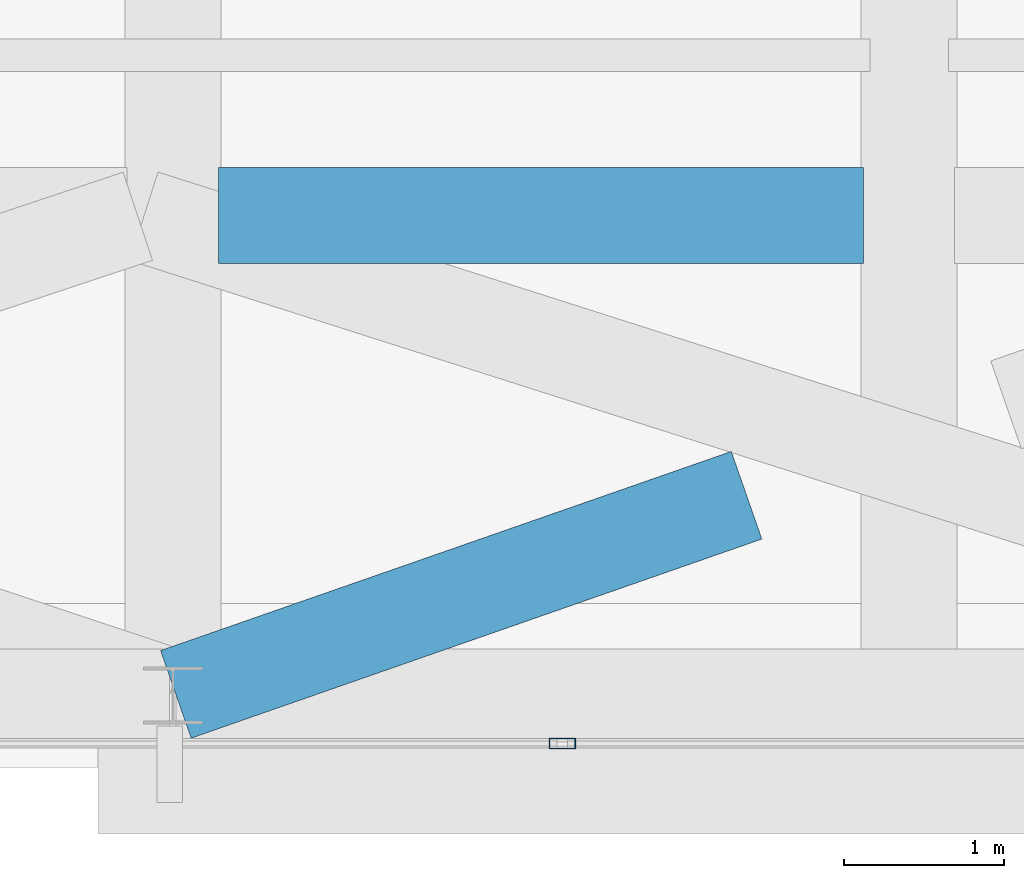
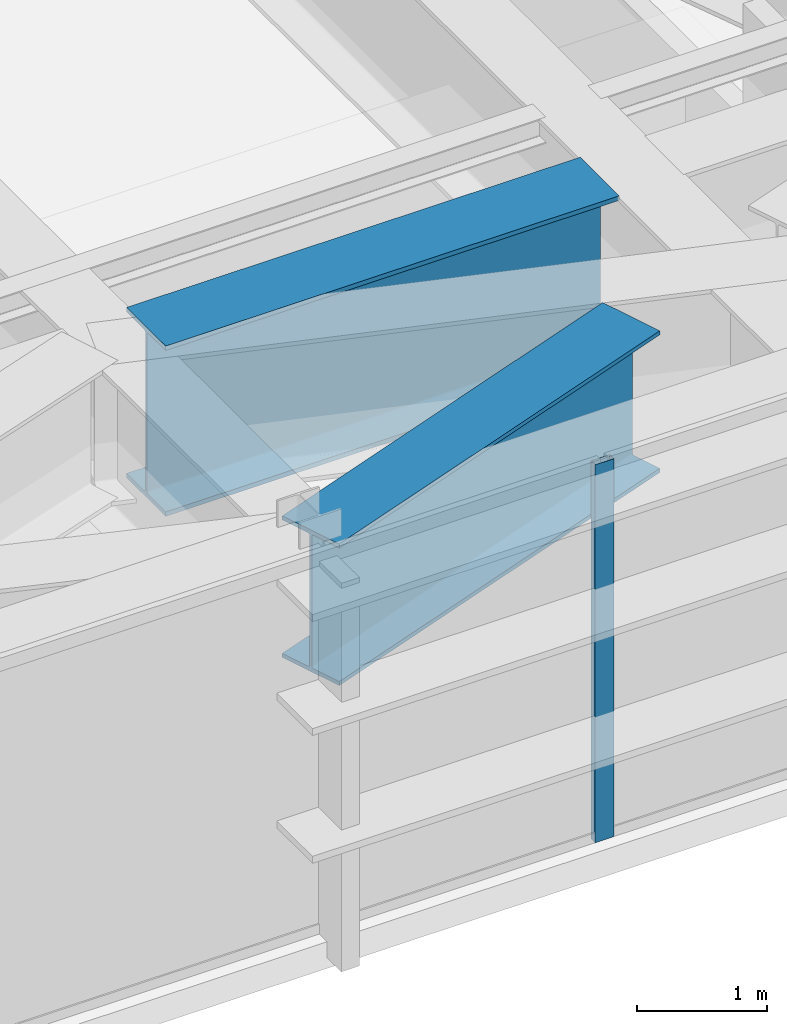
# One storey, part 8 of 23: 2 beams, 1 member, 1 element without a shape of its own.
"""IFC4 building model written with IfcOpenShell, lengths in metres."""

from ifc_helpers import new_model, si_unit, direction, frame, origin, origin_2d, place, context, subcontext, project, spatial, hollow_rectangle, i_section, extrude, source, transform, mapped, material, layer, layer_set, material_profile, profile_set, type_object, type_shapes, element, aggregate, save


model = new_model("IFC4")

# Units and contexts
model_context = context("Model", 3, precision=1e-05, world=origin(), true_north=direction((0.0, 1.0)))
body_context = subcontext(model_context, "Body", "Model", "MODEL_VIEW")
ifc_project = project(units=[si_unit("LENGTHUNIT", "METRE"), si_unit("AREAUNIT", "SQUARE_METRE"), si_unit("VOLUMEUNIT", "CUBIC_METRE"), si_unit("PLANEANGLEUNIT", "RADIAN"), si_unit("MASSUNIT", "GRAM", prefix="KILO")], contexts=[model_context])

# Site, building, storey
site_placement = place(None, origin())
site = spatial("IfcSite", under=ifc_project, at=site_placement, CompositionType="ELEMENT")
building_placement = place(site_placement, origin())
building = spatial("IfcBuilding", under=site, at=building_placement, Name="Varnel Quay Broadcast Tower", CompositionType="ELEMENT")
storey_placement = place(building_placement, frame((0.0, 0.0, 254.60009765625)))
storey = spatial("IfcBuildingStorey", under=building, at=storey_placement, Name="L63", CompositionType="ELEMENT", Elevation=254.60009765625)

# Beams
ifc_material_1 = material(Name="Structural Steel CSA G40.21 350WT", Category="steel")
ifc_material_profile_1 = material_profile(ifc_material_1, i_section(OverallWidth=0.60009765625, OverallDepth=1.60009765625, WebThickness=0.02392578125, FlangeThickness=0.0419921875, FilletRadius=0.02197265625, at=origin_2d()), Name="WWF1600X620")
ifc_profile_set_1 = profile_set([ifc_material_profile_1], Name="Structural Steel CSA G40.21 350WT")
beam_type_1 = type_object("IfcBeamType", Name="Girder_WWF1600X620", PredefinedType="BEAM", material=ifc_profile_set_1)
shared_shape_1 = source(origin(), body_context, "Body", "SweptSolid", [
    extrude(i_section(OverallWidth=0.60009765625, OverallDepth=1.60009765625, WebThickness=0.02392578125, FlangeThickness=0.0419921875, FilletRadius=0.02197265625, at=origin_2d()), origin(), (0.0, 0.0, 1.0), 4.030029296875),
])
type_shapes(beam_type_1, [shared_shape_1])
beam_1_placement = place(storey_placement, frame((38.885009765625, 13.64990234375, 2.75), z_axis=(1.0, 0.0, 0.0), x_axis=(0.0, 1.0, 0.0)))
element("IfcBeam", 1, at=beam_1_placement, inside=storey, type_object=beam_type_1, Name="L63 Setback South Transfer Header 6", PredefinedType="BEAM", context=body_context, shape_type="MappedRepresentation", body=[
    mapped(shared_shape_1, transform((0.0, 0.0, 0.0), x_axis=(1.0, 0.0, 0.0), y_axis=(0.0, 1.0, 0.0), z_axis=(0.0, 0.0, 1.0), scale=1.0)),
])
ifc_material_profile_2 = material_profile(ifc_material_1, i_section(OverallWidth=0.580078125, OverallDepth=1.330078125, WebThickness=0.02197265625, FlangeThickness=0.0380859375, FilletRadius=0.02001953125, at=origin_2d()), Name="WWF1330X535")
ifc_profile_set_2 = profile_set([ifc_material_profile_2], Name="Structural Steel CSA G40.21 350WT")
beam_type_2 = type_object("IfcBeamType", Name="Girder_WWF1330X535", PredefinedType="BEAM", material=ifc_profile_set_2)
shared_shape_2 = source(origin(), body_context, "Body", "SweptSolid", [
    extrude(i_section(OverallWidth=0.580078125, OverallDepth=1.330078125, WebThickness=0.02197265625, FlangeThickness=0.0380859375, FilletRadius=0.02001953125, at=origin_2d()), origin(), (0.0, 0.0, 1.0), 3.77685546875),
])
type_shapes(beam_type_2, [shared_shape_2])
beam_2_placement = place(storey_placement, frame((38.618896484375, 10.656494140625, 2.885009765625), z_axis=(0.944189428468, 0.329402979905, 0.0), x_axis=(-0.329402979905, 0.944189428468, 0.0)))
element("IfcBeam", 2, at=beam_2_placement, inside=storey, type_object=beam_type_2, Name="L63 X-Braced Transfer Tie TC-S4-TC-S3 Part 1", PredefinedType="BEAM", context=body_context, shape_type="MappedRepresentation", body=[
    mapped(shared_shape_2, transform((0.0, 0.0, 0.0), x_axis=(1.0, 0.0, 0.0), y_axis=(0.0, 1.0, 0.0), z_axis=(0.0, 0.0, 1.0), scale=1.0)),
])

# Curtain wall, member
ifc_material_2 = material(Name="Anodised Bronze Aluminium 6063-T6", Category="aluminium")
ifc_layer = layer(ifc_material_2, 0.18994140625, Name="Anodised Bronze Aluminium 6063-T6")
ifc_layer_set = layer_set([ifc_layer], Name="Anodised Bronze Aluminium 6063-T6")
curtain_wall_type = type_object("IfcCurtainWallType", Name="CW_UpperTower", PredefinedType="NOTDEFINED", material=ifc_layer_set)
curtain_wall_placement = place(storey_placement, origin())
curtain_wall = element("IfcCurtainWall", 3, at=curtain_wall_placement, inside=storey, type_object=curtain_wall_type, Name="L63 South Unitised Curtain Wall 1", PredefinedType="NOTDEFINED")
ifc_material_profile_3 = material_profile(ifc_material_2, hollow_rectangle(XDim=0.06494140625, YDim=0.1650390625, WallThickness=0.00341796875, at=origin_2d()), Name="ALU65X165X3.5")
ifc_profile_set_3 = profile_set([ifc_material_profile_3], Name="Anodised Bronze Aluminium 6063-T6")
member_type = type_object("IfcMemberType", Name="Mull_CWS-03", PredefinedType="MULLION", material=ifc_profile_set_3)
shared_shape_3 = source(origin(), body_context, "Body", "SweptSolid", [
    extrude(hollow_rectangle(XDim=0.06494140625, YDim=0.1650390625, WallThickness=0.00341796875, at=origin_2d()), origin(), (0.0, 0.0, 1.0), 3.5498046875),
])
type_shapes(member_type, [shared_shape_3])
member_placement = place(storey_placement, frame((41.033447265625, 10.35009765625, 0.0), z_axis=(0.0, 0.0, 1.0), x_axis=(0.0, 1.0, 0.0)))
member = element("IfcMember", 4, at=member_placement, type_object=member_type, Name="CWS-03 mullion 3", PredefinedType="MULLION", context=body_context, shape_type="MappedRepresentation", body=[
    mapped(shared_shape_3, transform((0.0, 0.0, 0.0), x_axis=(1.0, 0.0, 0.0), y_axis=(0.0, 1.0, 0.0), z_axis=(0.0, 0.0, 1.0), scale=1.0)),
])
aggregate(curtain_wall, [member])

save(model, "model.ifc")
